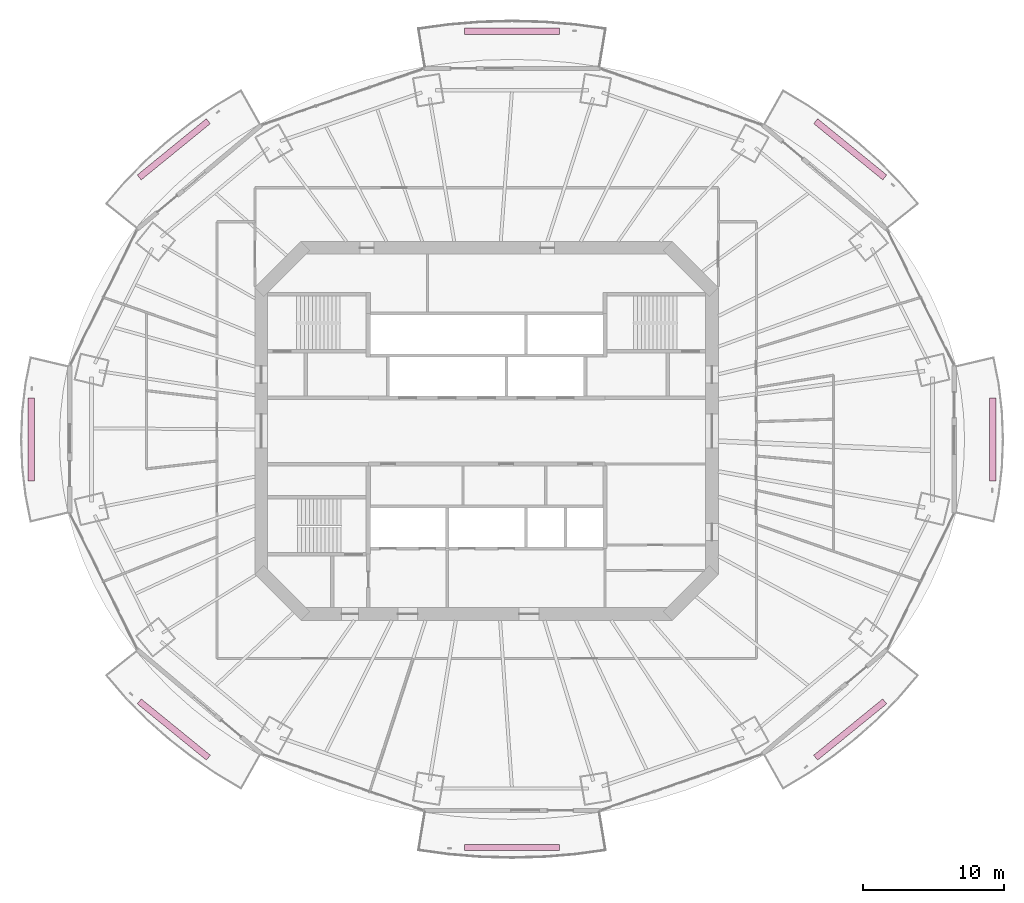
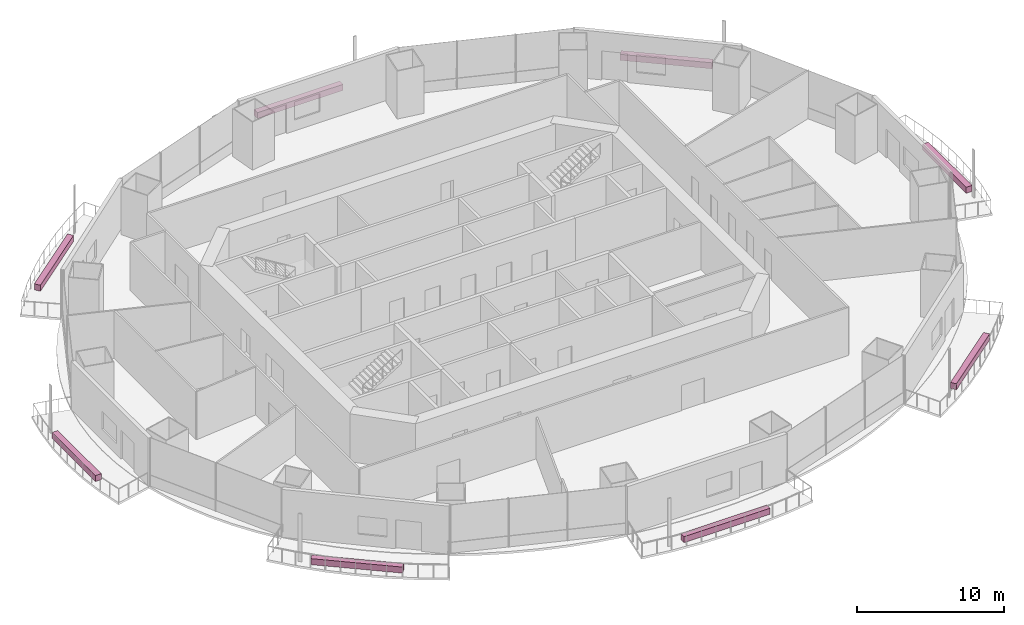
# One storey, part 20 of 20: 8 furnishings.
"""IFC4 building model written with IfcOpenShell, lengths in metres."""

from ifc_helpers import new_model, si_unit, direction, frame, origin, origin_2d, place, context, subcontext, project, spatial, rectangle, extrude, material, type_object, element, save


model = new_model("IFC4")

# Units and contexts
model_context = context("Model", 3, precision=1e-05, world=origin(), true_north=direction((0.0, 1.0)))
body_context = subcontext(model_context, "Body", "Model", "MODEL_VIEW")
ifc_project = project(units=[si_unit("LENGTHUNIT", "METRE"), si_unit("AREAUNIT", "SQUARE_METRE"), si_unit("VOLUMEUNIT", "CUBIC_METRE"), si_unit("PLANEANGLEUNIT", "RADIAN"), si_unit("MASSUNIT", "GRAM", prefix="KILO")], contexts=[model_context])

# Site, building, storey
site_placement = place(None, origin())
site = spatial("IfcSite", under=ifc_project, at=site_placement, CompositionType="ELEMENT")
building_placement = place(site_placement, origin())
building = spatial("IfcBuilding", under=site, at=building_placement, Name="Marenthal Gate Tower", CompositionType="ELEMENT")
storey_placement = place(building_placement, frame((0.0, 0.0, 185.949951171875)))
storey = spatial("IfcBuildingStorey", under=building, at=storey_placement, Name="L40", CompositionType="ELEMENT", Elevation=185.949951171875)

# Furnishings
ifc_material = material(Name="Planting soil and foliage", Category="planting")
furnishing_element_type = type_object("IfcFurnishingElementType", Name="Balcony PLANTER trough", material=ifc_material)
furnishing_1_placement = place(storey_placement, frame((25.81494140625, 19.99853515625, -0.0400390625), z_axis=(0.0, 0.0, 1.0), x_axis=(-0.775321700269, 0.631566513592, 0.0)))
element("IfcFurnishingElement", 1, at=furnishing_1_placement, inside=storey, type_object=furnishing_element_type, Name="Balcony PLANTER L40 bay 2", ObjectType="PLANTER", context=body_context, shape_type="SweptSolid", body=[
    extrude(rectangle(XDim=6.327392578125, YDim=0.449951171875, at=origin_2d()), origin(), (0.0, 0.0, 1.0), 0.5),
])
furnishing_2_placement = place(storey_placement, frame((1.800048828125, 28.3759765625, -0.0400390625), z_axis=(0.0, 0.0, 1.0), x_axis=(-1.0, 0.0, 0.0)))
element("IfcFurnishingElement", 2, at=furnishing_2_placement, inside=storey, type_object=furnishing_element_type, Name="Balcony PLANTER L40 bay 4", ObjectType="PLANTER", context=body_context, shape_type="SweptSolid", body=[
    extrude(rectangle(XDim=6.73046875, YDim=0.449951171875, at=origin_2d()), origin(), (0.0, 0.0, 1.0), 0.5),
])
furnishing_3_placement = place(storey_placement, frame((-22.21484375, 19.99853515625, -0.0400390625), z_axis=(0.0, 0.0, 1.0), x_axis=(-0.775321700269, -0.631566513592, 0.0)))
element("IfcFurnishingElement", 3, at=furnishing_3_placement, inside=storey, type_object=furnishing_element_type, Name="Balcony PLANTER L40 bay 6", ObjectType="PLANTER", context=body_context, shape_type="SweptSolid", body=[
    extrude(rectangle(XDim=6.327392578125, YDim=0.449951171875, at=origin_2d()), origin(), (0.0, 0.0, 1.0), 0.5),
])
furnishing_4_placement = place(storey_placement, frame((-32.330078125, -0.60009765625, -0.0400390625), z_axis=(0.0, 0.0, 1.0), x_axis=(0.0, -1.0, 0.0)))
element("IfcFurnishingElement", 4, at=furnishing_4_placement, inside=storey, type_object=furnishing_element_type, Name="Balcony PLANTER L40 bay 8", ObjectType="PLANTER", context=body_context, shape_type="SweptSolid", body=[
    extrude(rectangle(XDim=5.9091796875, YDim=0.449951171875, at=origin_2d()), origin(), (0.0, 0.0, 1.0), 0.5),
])
furnishing_5_placement = place(storey_placement, frame((-22.21484375, -21.19873046875, -0.0400390625), z_axis=(0.0, 0.0, 1.0), x_axis=(0.775321700269, -0.631566513592, 0.0)))
element("IfcFurnishingElement", 5, at=furnishing_5_placement, inside=storey, type_object=furnishing_element_type, Name="Balcony PLANTER L40 bay 10", ObjectType="PLANTER", context=body_context, shape_type="SweptSolid", body=[
    extrude(rectangle(XDim=6.327392578125, YDim=0.449951171875, at=origin_2d()), origin(), (0.0, 0.0, 1.0), 0.5),
])
furnishing_6_placement = place(storey_placement, frame((1.800048828125, -29.575927734375, -0.0400390625), z_axis=(0.0, 0.0, 1.0), x_axis=(1.0, 0.0, 0.0)))
element("IfcFurnishingElement", 6, at=furnishing_6_placement, inside=storey, type_object=furnishing_element_type, Name="Balcony PLANTER L40 bay 12", ObjectType="PLANTER", context=body_context, shape_type="SweptSolid", body=[
    extrude(rectangle(XDim=6.73046875, YDim=0.449951171875, at=origin_2d()), origin(), (0.0, 0.0, 1.0), 0.5),
])
furnishing_7_placement = place(storey_placement, frame((25.81494140625, -21.19873046875, -0.0400390625), z_axis=(0.0, 0.0, 1.0), x_axis=(0.775321700269, 0.631566513592, 0.0)))
element("IfcFurnishingElement", 7, at=furnishing_7_placement, inside=storey, type_object=furnishing_element_type, Name="Balcony PLANTER L40 bay 14", ObjectType="PLANTER", context=body_context, shape_type="SweptSolid", body=[
    extrude(rectangle(XDim=6.327392578125, YDim=0.449951171875, at=origin_2d()), origin(), (0.0, 0.0, 1.0), 0.5),
])
furnishing_8_placement = place(storey_placement, frame((35.929931640625, -0.60009765625, -0.0400390625), z_axis=(0.0, 0.0, 1.0), x_axis=(0.0, 1.0, 0.0)))
element("IfcFurnishingElement", 8, at=furnishing_8_placement, inside=storey, type_object=furnishing_element_type, Name="Balcony PLANTER L40 bay 16", ObjectType="PLANTER", context=body_context, shape_type="SweptSolid", body=[
    extrude(rectangle(XDim=5.9091796875, YDim=0.449951171875, at=origin_2d()), origin(), (0.0, 0.0, 1.0), 0.5),
])

save(model, "model.ifc")
